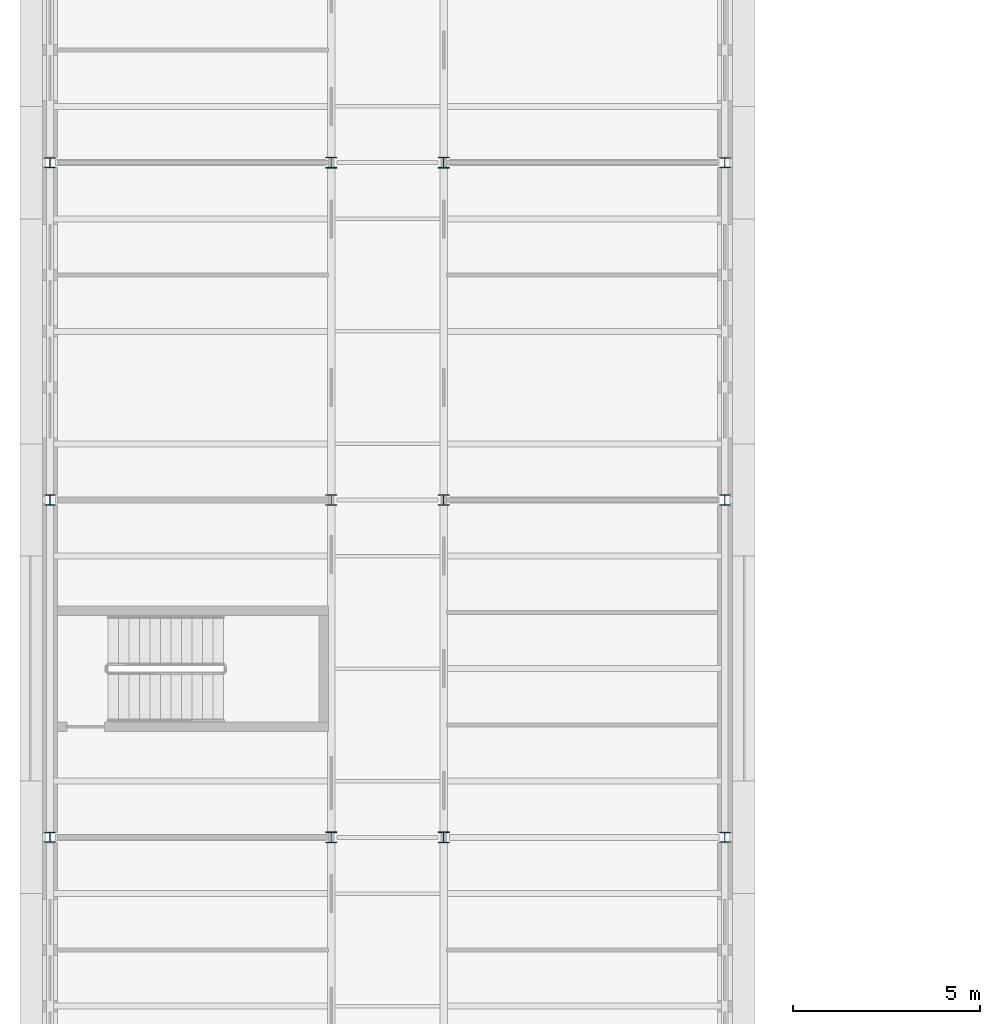
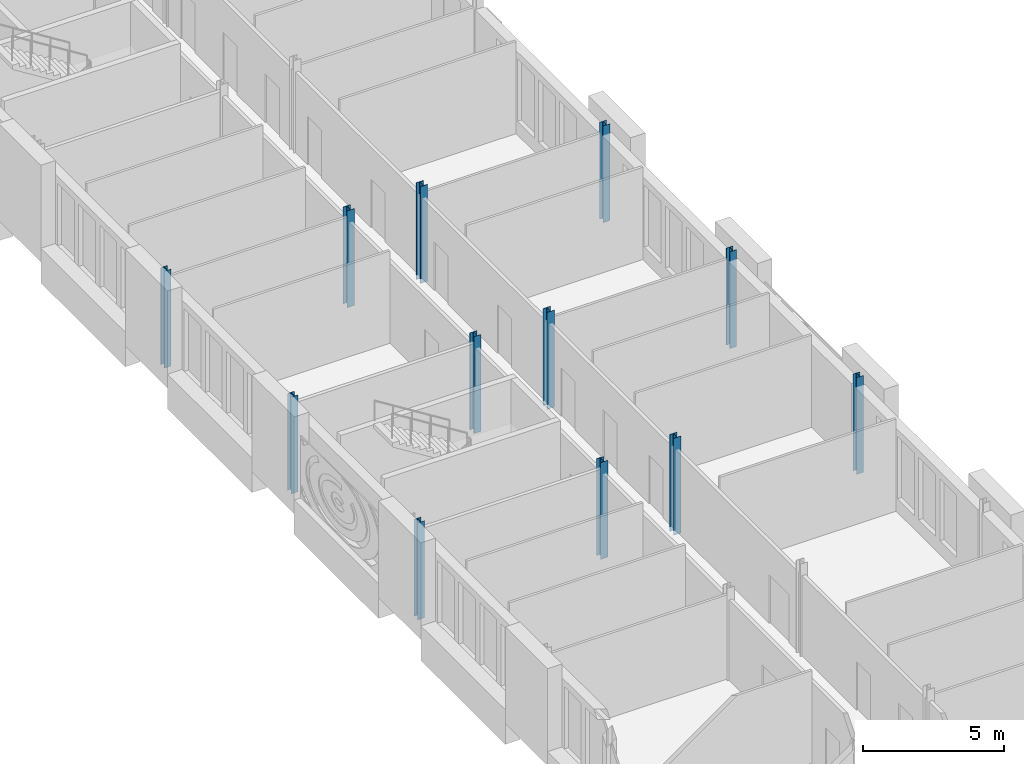
# One storey, part 3 of 154: 12 columns.
"""IFC4 building model written with IfcOpenShell, lengths in metres."""

import ifcopenshell
import ifcopenshell.guid

model = None  # the IFC model being written
_history = None  # IfcOwnerHistory: only IFC2X3 demands one
_inside = {}  # id of a spatial element -> (the spatial element, [elements in it])
_under = {}  # id of a project, library or spatial element -> (it, [spatial elements below it])
_declared = {}  # id of a project -> (the project, [libraries it declares])
_typed = {}  # id of a type object -> (the type object, [elements of that type])
_made_of = {}  # id of a material, layer set ... -> (it, [elements and type objects made of it])


def new_model(schema):
    """Start an empty IFC model of exactly this schema.

    Asked for "IFC4X3", IfcOpenShell would pick the latest addendum, in which some entities
    have other attributes; the version numbers below select the first issue.
    IFC2X3 requires an IfcOwnerHistory on every rooted entity: one is made here for all.
    """
    global model, _history
    if schema == "IFC4X3":
        model = ifcopenshell.file(schema_version=(4, 3, 0, 0))
    else:
        model = ifcopenshell.file(schema=schema)
    _inside.clear()
    _under.clear()
    _declared.clear()
    _typed.clear()
    _made_of.clear()
    _history = None
    if model.schema == "IFC2X3":
        org = make("IfcOrganization", Name="unknown")
        user = make(
            "IfcPersonAndOrganization",
            ThePerson=make("IfcPerson", FamilyName="unknown"),
            TheOrganization=org,
        )
        app = make(
            "IfcApplication",
            ApplicationDeveloper=org,
            Version="unknown",
            ApplicationFullName="unknown",
            ApplicationIdentifier="unknown",
        )
        _history = make(
            "IfcOwnerHistory",
            OwningUser=user,
            OwningApplication=app,
            ChangeAction="ADDED",
            CreationDate=0,
        )
    return model


def make(cls, **values):
    """One entity of the class cls with the attributes given. An attribute that is None is left unset."""
    return model.create_entity(
        cls, **{name: value for name, value in values.items() if value is not None}
    )


def rooted(cls, **values):
    """An entity with a GlobalId (a new one), such as an element, a storey or a relation."""
    return make(cls, GlobalId=ifcopenshell.guid.new(), OwnerHistory=_history, **values)


def si_unit(unit_type, name, prefix=None):
    """IfcSIUnit, for example si_unit("LENGTHUNIT", "METRE", prefix="MILLI")."""
    return make("IfcSIUnit", UnitType=unit_type, Prefix=prefix, Name=name)


def assignment(units):
    """IfcUnitAssignment: the units of a project."""
    return None if units is None else make("IfcUnitAssignment", Units=units)


def point(xyz):
    """IfcCartesianPoint."""
    return None if xyz is None else make("IfcCartesianPoint", Coordinates=xyz)


def direction(xyz):
    """IfcDirection."""
    return None if xyz is None else make("IfcDirection", DirectionRatios=xyz)


def frame(location, z_axis=None, x_axis=None):
    """IfcAxis2Placement3D, a coordinate frame: its origin and axes. An axis left out is left unset."""
    return make(
        "IfcAxis2Placement3D",
        Location=point(location),
        Axis=direction(z_axis),
        RefDirection=direction(x_axis),
    )


def frame_2d(location, x_axis=None):
    """IfcAxis2Placement2D, a coordinate frame in the plane: its origin and x axis."""
    return make(
        "IfcAxis2Placement2D", Location=point(location), RefDirection=direction(x_axis)
    )


def origin():
    """The frame at (0, 0, 0) with its axes left unset."""
    return frame((0.0, 0.0, 0.0))


def origin_2d():
    """The frame at (0, 0) in the plane with its x axis left unset."""
    return frame_2d((0.0, 0.0))


def place(relative_to, where):
    """IfcLocalPlacement: puts the frame where relative to a parent placement (None: the world)."""
    return make(
        "IfcLocalPlacement", PlacementRelTo=relative_to, RelativePlacement=where
    )


def context(
    kind, dimensions, precision=None, world=None, true_north=None, identifier=None
):
    """IfcGeometricRepresentationContext, for example the 3D "Model" context."""
    return make(
        "IfcGeometricRepresentationContext",
        ContextIdentifier=identifier,
        ContextType=kind,
        CoordinateSpaceDimension=dimensions,
        Precision=precision,
        WorldCoordinateSystem=world,
        TrueNorth=true_north,
    )


def subcontext(parent, identifier, kind, view, scale=None):
    """IfcGeometricRepresentationSubContext, for example "Body" below "Model"."""
    return make(
        "IfcGeometricRepresentationSubContext",
        ContextIdentifier=identifier,
        ContextType=kind,
        ParentContext=parent,
        TargetScale=scale,
        TargetView=view,
    )


def project(units=None, contexts=None):
    """IfcProject with its units and contexts."""
    return rooted(
        "IfcProject",
        Name="project",
        RepresentationContexts=contexts,
        UnitsInContext=assignment(units),
    )


def spatial(cls, under=None, at=None, **own):
    """A site, building, storey or space (cls), placed at a placement, below another one or the project."""
    s = rooted(cls, ObjectPlacement=at, **own)
    if under is not None:
        _under.setdefault(under.id(), (under, []))[1].append(s)
    return s


def profile(cls, at=None, kind="AREA", **sizes):
    """A parametric profile (cls). Its sizes go by their IFC names, for example OverallWidth=200.0."""
    return make(cls, ProfileType=kind, Position=at, **sizes)


def i_section(**sizes):
    """IfcIShapeProfileDef."""
    return profile("IfcIShapeProfileDef", **sizes)


def extrude(swept, where, along, depth):
    """IfcExtrudedAreaSolid: the profile swept, set in the frame where, extruded along a direction by depth."""
    return make(
        "IfcExtrudedAreaSolid",
        SweptArea=swept,
        Position=where,
        ExtrudedDirection=direction(along),
        Depth=depth,
    )


def shape(context_of_items, identifier, shape_type, items):
    """IfcShapeRepresentation: the items that make up one representation, for example the "Body"."""
    return make(
        "IfcShapeRepresentation",
        ContextOfItems=context_of_items,
        RepresentationIdentifier=identifier,
        RepresentationType=shape_type,
        Items=items,
    )


def material(Name=None, Category=None):
    """IfcMaterial."""
    return make("IfcMaterial", Name=Name, Category=Category)


def material_profile(
    of_material, cross_section, Name=None, Category=None, Priority=None
):
    """IfcMaterialProfile: a cross section and its material."""
    return make(
        "IfcMaterialProfile",
        Name=Name,
        Material=of_material,
        Profile=cross_section,
        Priority=Priority,
        Category=Category,
    )


def profile_set(profiles, Name=None, composite=None):
    """IfcMaterialProfileSet."""
    return make(
        "IfcMaterialProfileSet",
        Name=Name,
        MaterialProfiles=profiles,
        CompositeProfile=composite,
    )


def made_of(thing, what):
    """Note that an element or type object is made of a material, layer set ...; save() writes the relation."""
    if what is not None:
        _made_of.setdefault(what.id(), (what, []))[1].append(thing)
    return thing


def type_object(cls, material=None, **own):
    """A type object (cls), such as IfcWallType, which elements share."""
    return made_of(rooted(cls, **own), material)


def element(
    cls,
    number,
    at=None,
    inside=None,
    cuts=None,
    type_object=None,
    material=None,
    context=None,
    identifier="Body",
    shape_type=None,
    held_by="IfcProductDefinitionShape",
    body=None,
    shapes=None,
    **own,
):
    """One element of the class cls, such as IfcWall. Its Tag is "e" and its number.

    at: its placement. inside: the storey or other place that contains it. cuts: it is an
    opening in that element (IfcRelVoidsElement). A single representation is given by context,
    identifier, shape_type and body (its items); several are given by shapes. held_by: the class
    of the entity that holds the representations. save() writes the other relations.
    """
    e = rooted(cls, Tag="e%d" % number, ObjectPlacement=at, **own)
    if body is not None:
        shapes = [shape(context, identifier, shape_type, body)]
    if shapes is not None:
        e.Representation = make(held_by, Representations=shapes)
    if inside is not None:
        _inside.setdefault(inside.id(), (inside, []))[1].append(e)
    if cuts is not None:
        rooted(
            "IfcRelVoidsElement", RelatingBuildingElement=cuts, RelatedOpeningElement=e
        )
    if type_object is not None:
        _typed.setdefault(type_object.id(), (type_object, []))[1].append(e)
    return made_of(e, material)


def aggregate(whole, parts):
    """IfcRelAggregates: a whole, such as a stair, and the parts it consists of."""
    return rooted("IfcRelAggregates", RelatingObject=whole, RelatedObjects=parts)


def save(model, path):
    """Write the relations noted so far, then the file.

    IfcRelAggregates (storeys below a building ...), IfcRelContainedInSpatialStructure (elements
    in a storey), IfcRelDefinesByType, IfcRelAssociatesMaterial and IfcRelDeclares: one each for
    every whole, place, type object, material and project.
    """
    for whole, parts in _under.values():
        aggregate(whole, parts)
    for where, things in _inside.values():
        rooted(
            "IfcRelContainedInSpatialStructure",
            RelatedElements=things,
            RelatingStructure=where,
        )
    for kind, things in _typed.values():
        rooted("IfcRelDefinesByType", RelatedObjects=things, RelatingType=kind)
    for what, things in _made_of.values():
        rooted("IfcRelAssociatesMaterial", RelatedObjects=things, RelatingMaterial=what)
    for by, libraries in _declared.values():
        rooted("IfcRelDeclares", RelatingContext=by, RelatedDefinitions=libraries)
    model.write(path)


model = new_model("IFC4")

# Units and contexts
model_context = context("Model", 3, precision=1e-05, world=origin(), true_north=direction((0.0, 1.0)))
body_context = subcontext(model_context, "Body", "Model", "MODEL_VIEW")
ifc_project = project(units=[si_unit("LENGTHUNIT", "METRE"), si_unit("AREAUNIT", "SQUARE_METRE"), si_unit("VOLUMEUNIT", "CUBIC_METRE"), si_unit("PLANEANGLEUNIT", "RADIAN"), si_unit("MASSUNIT", "GRAM", prefix="KILO")], contexts=[model_context])

# Site, building, storey
site_placement = place(None, origin())
site = spatial("IfcSite", under=ifc_project, at=site_placement, CompositionType="ELEMENT")
building_placement = place(site_placement, origin())
building = spatial("IfcBuilding", under=site, at=building_placement, Name="Golden Quay Civic Hall", CompositionType="ELEMENT")
storey_placement = place(building_placement, frame((0.0, 0.0, 14.39990234375)))
storey = spatial("IfcBuildingStorey", under=building, at=storey_placement, Name="L03", CompositionType="ELEMENT", Elevation=14.39990234375)

# Columns
ifc_material_1 = material(Name="Steel S355", Category="steel")
ifc_material_profile_1 = material_profile(ifc_material_1, i_section(OverallWidth=0.280029296875, OverallDepth=0.27001953125, WebThickness=0.008056640625, FlangeThickness=0.012939453125, FilletRadius=0.02392578125, at=origin_2d()), Name="HEA 280")
ifc_profile_set_1 = profile_set([ifc_material_profile_1], Name="Steel S355")
column_type_1 = type_object("IfcColumnType", Name="Steel column HEA 280", PredefinedType="COLUMN", material=ifc_profile_set_1)
for number, where, z_axis, x_axis, name in (
    (1, (0.0, 27.0, -0.199951171875), (0.0, 0.0, 1.0), (1.0, 0.0, 0.0), "Column 0/27 L03"),
    (2, (0.0, 36.0, -0.199951171875), (0.0, 0.0, 1.0), (1.0, 0.0, 0.0), "Column 0/36 L03"),
    (3, (0.0, 45.0, -0.199951171875), (0.0, 0.0, 1.0), (1.0, 0.0, 0.0), "Column 0/45 L03"),
    (4, (18.0, 27.0, -0.199951171875), (0.0, 0.0, 1.0), (1.0, 0.0, 0.0), "Column 18/27 L03"),
    (5, (18.0, 36.0, -0.199951171875), (0.0, 0.0, 1.0), (1.0, 0.0, 0.0), "Column 18/36 L03"),
    (6, (18.0, 45.0, -0.199951171875), (0.0, 0.0, 1.0), (1.0, 0.0, 0.0), "Column 18/45 L03"),
):
    element("IfcColumn", number, at=place(storey_placement, frame(where, z_axis=z_axis, x_axis=x_axis)), inside=storey, type_object=column_type_1, Name=name, PredefinedType="COLUMN", context=body_context, shape_type="SweptSolid", body=[
        extrude(i_section(OverallWidth=0.280029296875, OverallDepth=0.27001953125, WebThickness=0.008056640625, FlangeThickness=0.012939453125, FilletRadius=0.02392578125, at=origin_2d()), origin(), (0.0, 0.0, 1.0), 4.199951171875),
    ])
ifc_material_2 = material(Name="Steel S355", Category="steel")
ifc_material_profile_2 = material_profile(ifc_material_2, i_section(OverallWidth=0.300048828125, OverallDepth=0.2900390625, WebThickness=0.008544921875, FlangeThickness=0.013916015625, FilletRadius=0.027099609375, at=origin_2d()), Name="HEA 300")
ifc_profile_set_2 = profile_set([ifc_material_profile_2], Name="Steel S355")
column_type_2 = type_object("IfcColumnType", Name="Steel column HEA 300", PredefinedType="COLUMN", material=ifc_profile_set_2)
for number, where, z_axis, x_axis, name in (
    (7, (7.5, 27.0, -0.199951171875), (0.0, 0.0, 1.0), (1.0, 0.0, 0.0), "Column 7.5/27 L03"),
    (8, (7.5, 36.0, -0.199951171875), (0.0, 0.0, 1.0), (1.0, 0.0, 0.0), "Column 7.5/36 L03"),
    (9, (7.5, 45.0, -0.199951171875), (0.0, 0.0, 1.0), (1.0, 0.0, 0.0), "Column 7.5/45 L03"),
    (10, (10.5, 27.0, -0.199951171875), (0.0, 0.0, 1.0), (1.0, 0.0, 0.0), "Column 10.5/27 L03"),
    (11, (10.5, 36.0, -0.199951171875), (0.0, 0.0, 1.0), (1.0, 0.0, 0.0), "Column 10.5/36 L03"),
    (12, (10.5, 45.0, -0.199951171875), (0.0, 0.0, 1.0), (1.0, 0.0, 0.0), "Column 10.5/45 L03"),
):
    element("IfcColumn", number, at=place(storey_placement, frame(where, z_axis=z_axis, x_axis=x_axis)), inside=storey, type_object=column_type_2, Name=name, PredefinedType="COLUMN", context=body_context, shape_type="SweptSolid", body=[
        extrude(i_section(OverallWidth=0.300048828125, OverallDepth=0.2900390625, WebThickness=0.008544921875, FlangeThickness=0.013916015625, FilletRadius=0.027099609375, at=origin_2d()), origin(), (0.0, 0.0, 1.0), 4.199951171875),
    ])

save(model, "model.ifc")
